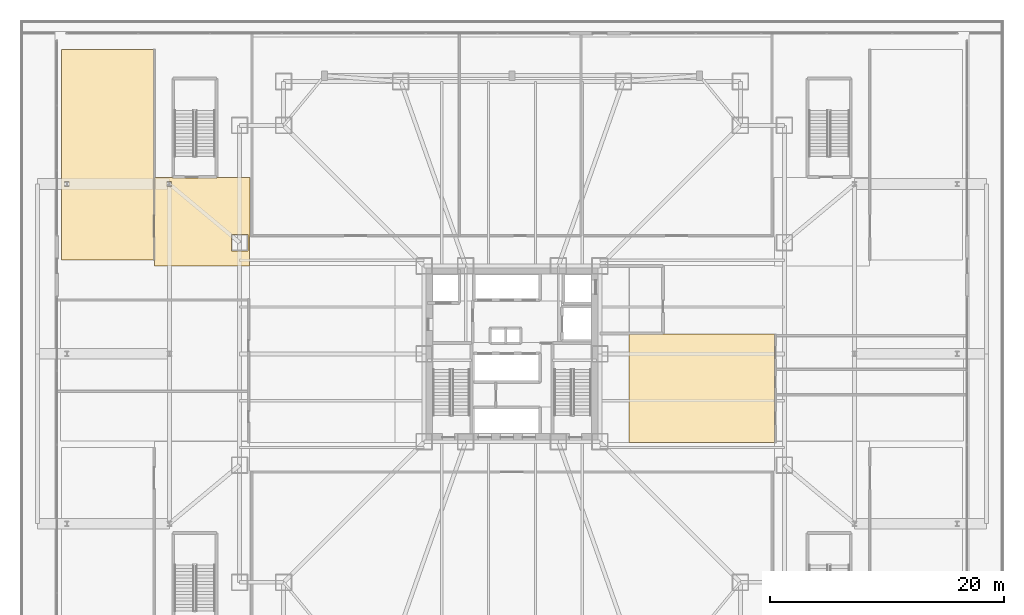
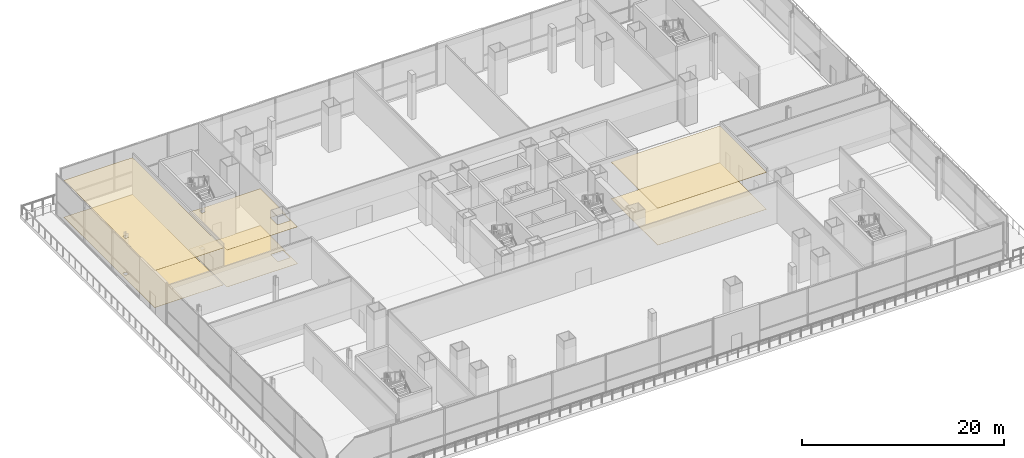
# One storey, part 30 of 36: 6 coverings.
"""IFC4 building model written with IfcOpenShell, lengths in metres."""

from ifc_helpers import new_model, si_unit, direction, frame, origin, place, context, subcontext, project, spatial, polyline, outline, extrude, material, layer, layer_set, type_object, element, save


model = new_model("IFC4")

# Units and contexts
model_context = context("Model", 3, precision=1e-05, world=origin(), true_north=direction((0.0, 1.0)))
body_context = subcontext(model_context, "Body", "Model", "MODEL_VIEW")
ifc_project = project(units=[si_unit("LENGTHUNIT", "METRE"), si_unit("AREAUNIT", "SQUARE_METRE"), si_unit("VOLUMEUNIT", "CUBIC_METRE"), si_unit("PLANEANGLEUNIT", "RADIAN"), si_unit("MASSUNIT", "GRAM", prefix="KILO")], contexts=[model_context])

# Site, building, storey
site_placement = place(None, origin())
site = spatial("IfcSite", under=ifc_project, at=site_placement, CompositionType="ELEMENT")
building_placement = place(site_placement, origin())
building = spatial("IfcBuilding", under=site, at=building_placement, Name="Trevonay Congress Spire", CompositionType="ELEMENT")
storey_placement = place(building_placement, frame((0.0, 0.0, 5.39990234375)))
storey = spatial("IfcBuildingStorey", under=building, at=storey_placement, Name="L01", CompositionType="ELEMENT", Elevation=5.39990234375)

# Coverings
ifc_material_1 = material(Name="Acoustic Mineral Fibre Board", Category="gypsum")
ifc_layer_1 = layer(ifc_material_1, 0.02490234375, Name="Acoustic Mineral Fibre Board")
ifc_layer_set_1 = layer_set([ifc_layer_1], Name="Acoustic Mineral Fibre Board")
covering_type_1 = type_object("IfcCoveringType", Name="COV-CEIL-ACOUSTIC", PredefinedType="CEILING", material=ifc_layer_set_1)
covering_1_placement = place(storey_placement, frame((0.0, 0.0, 4.4501953125)))
element("IfcCovering", 1, at=covering_1_placement, inside=storey, type_object=covering_type_1, Name="L01 L01 East Concourse Foyer acoustic suspended ceiling", PredefinedType="CEILING", context=body_context, shape_type="SweptSolid", body=[
    extrude(outline(polyline([(10.0, -7.550048828125), (10.0, 1.699951171875), (22.419921875, 1.699951171875), (22.419921875, -7.550048828125), (10.0, -7.550048828125)])), origin(), (0.0, 0.0, 1.0), 0.02490234375),
])
covering_2_placement = place(storey_placement, frame((0.0, 0.0, 4.4501953125)))
element("IfcCovering", 2, at=covering_2_placement, inside=storey, type_object=covering_type_1, Name="L01 L01 Stair Lobby NW acoustic suspended ceiling", PredefinedType="CEILING", context=body_context, shape_type="SweptSolid", body=[
    extrude(outline(polyline([(-25.169921875, 15.02001953125), (-25.169921875, 15.050048828125), (-22.35009765625, 15.050048828125), (-22.35009765625, 10.0), (-22.419921875, 10.0), (-22.419921875, 7.550048828125), (-22.419921875, 7.5), (-30.5, 7.5), (-30.5, 15.050048828125), (-28.97998046875, 15.050048828125), (-28.97998046875, 15.02001953125), (-25.169921875, 15.02001953125)]), holes=[polyline([(-22.5400390625, 8.7900390625), (-22.5400390625, 10.2099609375), (-23.9599609375, 10.2099609375), (-23.9599609375, 8.7900390625), (-22.5400390625, 8.7900390625)]), polyline([(-29.055908203125, 14.277587890625), (-29.055908203125, 14.722412109375), (-29.444091796875, 14.722412109375), (-29.444091796875, 14.277587890625), (-29.055908203125, 14.277587890625)])]), origin(), (0.0, 0.0, 1.0), 0.02490234375),
])
covering_3_placement = place(storey_placement, frame((0.0, 0.0, 4.4501953125)))
element("IfcCovering", 3, at=covering_3_placement, inside=storey, type_object=covering_type_1, Name="L01 L01 North-West Breakout Salon acoustic suspended ceiling", PredefinedType="CEILING", context=body_context, shape_type="SweptSolid", body=[
    extrude(outline(polyline([(-38.449951171875, 26.0), (-30.60009765625, 26.0), (-30.60009765625, 8.0), (-38.449951171875, 8.0), (-38.449951171875, 26.0)]), holes=[polyline([(-37.81396484375, 14.28662109375), (-37.81396484375, 14.71337890625), (-38.18603515625, 14.71337890625), (-38.18603515625, 14.28662109375), (-37.81396484375, 14.28662109375)])]), origin(), (0.0, 0.0, 1.0), 0.02490234375),
])
ifc_material_2 = material(Name="Polished Granite Floor Tile", Category="masonry")
ifc_layer_2 = layer(ifc_material_2, 0.02001953125, Name="Polished Granite Floor Tile")
ifc_layer_set_2 = layer_set([ifc_layer_2], Name="Polished Granite Floor Tile")
covering_type_2 = type_object("IfcCoveringType", Name="COV-FLOOR-STONE", PredefinedType="FLOORING", material=ifc_layer_set_2)
covering_4_placement = place(storey_placement, origin())
element("IfcCovering", 4, at=covering_4_placement, inside=storey, type_object=covering_type_2, Name="L01 L01 East Concourse Foyer floor finish", PredefinedType="FLOORING", context=body_context, shape_type="SweptSolid", body=[
    extrude(outline(polyline([(10.0, -7.550048828125), (10.0, 1.699951171875), (22.419921875, 1.699951171875), (22.419921875, -7.550048828125), (10.0, -7.550048828125)])), origin(), (0.0, 0.0, 1.0), 0.02001953125),
])
covering_5_placement = place(storey_placement, origin())
element("IfcCovering", 5, at=covering_5_placement, inside=storey, type_object=covering_type_2, Name="L01 L01 Stair Lobby NW floor finish", PredefinedType="FLOORING", context=body_context, shape_type="SweptSolid", body=[
    extrude(outline(polyline([(-25.169921875, 15.02001953125), (-25.169921875, 15.050048828125), (-22.35009765625, 15.050048828125), (-22.35009765625, 10.0), (-22.419921875, 10.0), (-22.419921875, 7.550048828125), (-22.419921875, 7.5), (-30.5, 7.5), (-30.5, 15.050048828125), (-28.97998046875, 15.050048828125), (-28.97998046875, 15.02001953125), (-25.169921875, 15.02001953125)]), holes=[polyline([(-22.5400390625, 8.7900390625), (-22.5400390625, 10.2099609375), (-23.9599609375, 10.2099609375), (-23.9599609375, 8.7900390625), (-22.5400390625, 8.7900390625)]), polyline([(-29.055908203125, 14.277587890625), (-29.055908203125, 14.722412109375), (-29.444091796875, 14.722412109375), (-29.444091796875, 14.277587890625), (-29.055908203125, 14.277587890625)])]), origin(), (0.0, 0.0, 1.0), 0.02001953125),
])
ifc_material_3 = material(Name="Engineered Oak Flooring", Category="wood")
ifc_layer_3 = layer(ifc_material_3, 0.01806640625, Name="Engineered Oak Flooring")
ifc_layer_set_3 = layer_set([ifc_layer_3], Name="Engineered Oak Flooring")
covering_type_3 = type_object("IfcCoveringType", Name="COV-FLOOR-TIMBER", PredefinedType="FLOORING", material=ifc_layer_set_3)
covering_6_placement = place(storey_placement, origin())
element("IfcCovering", 6, at=covering_6_placement, inside=storey, type_object=covering_type_3, Name="L01 L01 North-West Breakout Salon floor finish", PredefinedType="FLOORING", context=body_context, shape_type="SweptSolid", body=[
    extrude(outline(polyline([(-38.449951171875, 26.0), (-30.60009765625, 26.0), (-30.60009765625, 8.0), (-38.449951171875, 8.0), (-38.449951171875, 26.0)]), holes=[polyline([(-37.81396484375, 14.28662109375), (-37.81396484375, 14.71337890625), (-38.18603515625, 14.71337890625), (-38.18603515625, 14.28662109375), (-37.81396484375, 14.28662109375)])]), origin(), (0.0, 0.0, 1.0), 0.01806640625),
])

save(model, "model.ifc")
